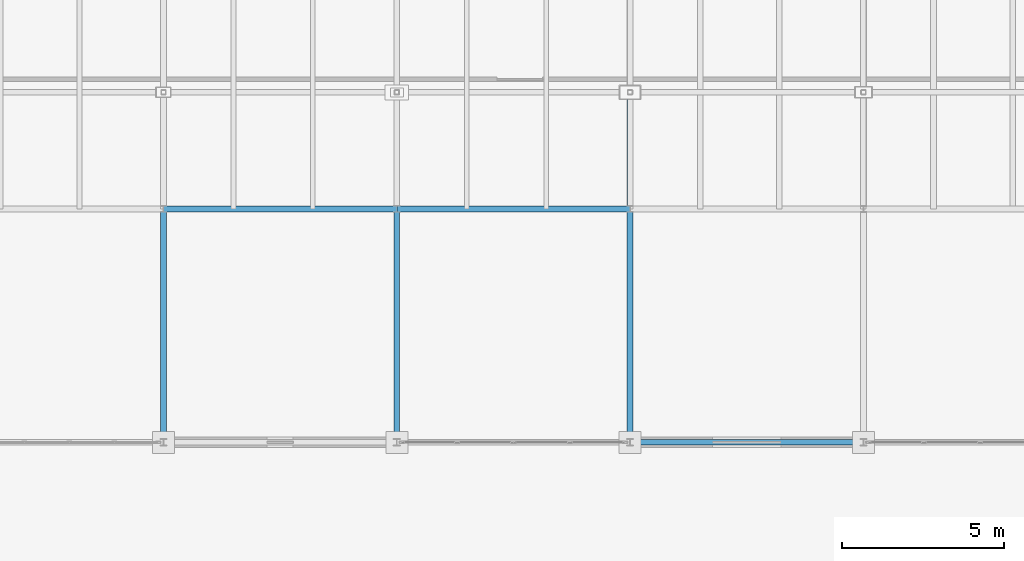
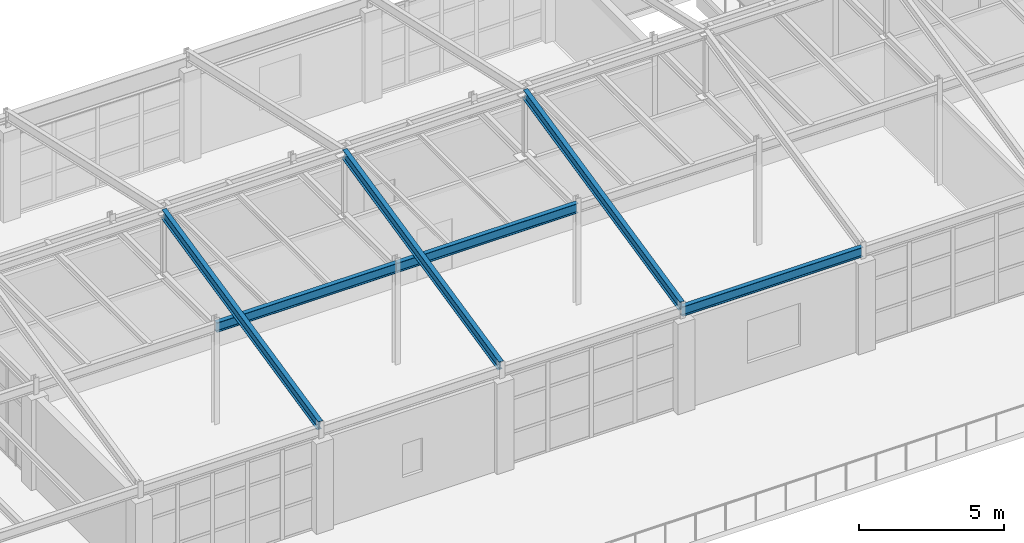
# One storey, part 51 of 101: 6 beams.
"""IFC4 building model written with IfcOpenShell, lengths in metres."""

from ifc_helpers import new_model, si_unit, direction, frame, origin, origin_2d, place, context, subcontext, project, spatial, i_section, extrude, material, material_profile, profile_set, type_object, element, save


model = new_model("IFC4")

# Units and contexts
model_context = context("Model", 3, precision=1e-05, world=origin(), true_north=direction((0.0, 1.0)))
body_context = subcontext(model_context, "Body", "Model", "MODEL_VIEW")
ifc_project = project(units=[si_unit("LENGTHUNIT", "METRE"), si_unit("AREAUNIT", "SQUARE_METRE"), si_unit("VOLUMEUNIT", "CUBIC_METRE"), si_unit("PLANEANGLEUNIT", "RADIAN"), si_unit("MASSUNIT", "GRAM", prefix="KILO")], contexts=[model_context])

# Site, building, storey
site_placement = place(None, origin())
site = spatial("IfcSite", under=ifc_project, at=site_placement, CompositionType="ELEMENT")
building_placement = place(site_placement, origin())
building = spatial("IfcBuilding", under=site, at=building_placement, Name="Kemerveld Promenade Tramway Depot", CompositionType="ELEMENT")
storey_placement = place(building_placement, frame((0.0, 0.0, 9.89990234375)))
storey = spatial("IfcBuildingStorey", under=building, at=storey_placement, Name="L02", CompositionType="ELEMENT", Elevation=9.89990234375)

# Beams
ifc_material = material(Name="Steel S355", Category="steel")
ifc_material_profile = material_profile(ifc_material, i_section(OverallWidth=0.1787109375, OverallDepth=0.409423828125, WebThickness=0.0087890625, FlangeThickness=0.014404296875, FilletRadius=0.01025390625, at=origin_2d()), Name="406x178x67 UB")
ifc_profile_set = profile_set([ifc_material_profile], Name="Steel S355")
beam_type = type_object("IfcBeamType", Name="BM-G07", PredefinedType="BEAM", material=ifc_profile_set)
for number, where, z_axis, x_axis, name in (
    (1, (79.199951171875, 7.199951171875, 4.0703125), (1.0, 0.0, 0.0), (0.0, 1.0, 0.0), "BMX-L02-12-13-B"),
    (2, (64.800048828125, 14.39990234375, 4.0703125), (1.0, 0.0, 0.0), (0.0, 1.0, 0.0), "BMX-L02-10-11-C"),
    (3, (72.0, 14.39990234375, 4.0703125), (1.0, 0.0, 0.0), (0.0, 1.0, 0.0), "BMX-L02-11-12-C"),
):
    element("IfcBeam", number, at=place(storey_placement, frame(where, z_axis=z_axis, x_axis=x_axis)), inside=storey, type_object=beam_type, Name=name, PredefinedType="BEAM", context=body_context, shape_type="SweptSolid", body=[
        extrude(i_section(OverallWidth=0.1787109375, OverallDepth=0.409423828125, WebThickness=0.0087890625, FlangeThickness=0.014404296875, FilletRadius=0.01025390625, at=origin_2d()), origin(), (0.0, 0.0, 1.0), 7.199951171875),
    ])
for number, where, z_axis, x_axis, name in (
    (4, (64.800048828125, 7.199951171875, 4.275390625), (0.0, 0.976189137057, 0.216921111677), (-1.0, 0.0, 0.0), "RAF-V4-10-S"),
    (5, (72.0, 7.199951171875, 4.275390625), (0.0, 0.976189137057, 0.216921111677), (-1.0, 0.0, 0.0), "RAF-V4-11-S"),
    (6, (79.199951171875, 7.199951171875, 4.275390625), (0.0, 0.976189137057, 0.216921111677), (-1.0, 0.0, 0.0), "RAF-V4-12-S"),
):
    element("IfcBeam", number, at=place(storey_placement, frame(where, z_axis=z_axis, x_axis=x_axis)), inside=storey, type_object=beam_type, Name=name, PredefinedType="BEAM", context=body_context, shape_type="SweptSolid", body=[
        extrude(i_section(OverallWidth=0.1787109375, OverallDepth=0.409423828125, WebThickness=0.0087890625, FlangeThickness=0.014404296875, FilletRadius=0.01025390625, at=origin_2d()), origin(), (0.0, 0.0, 1.0), 11.0634765625),
    ])

save(model, "model.ifc")
